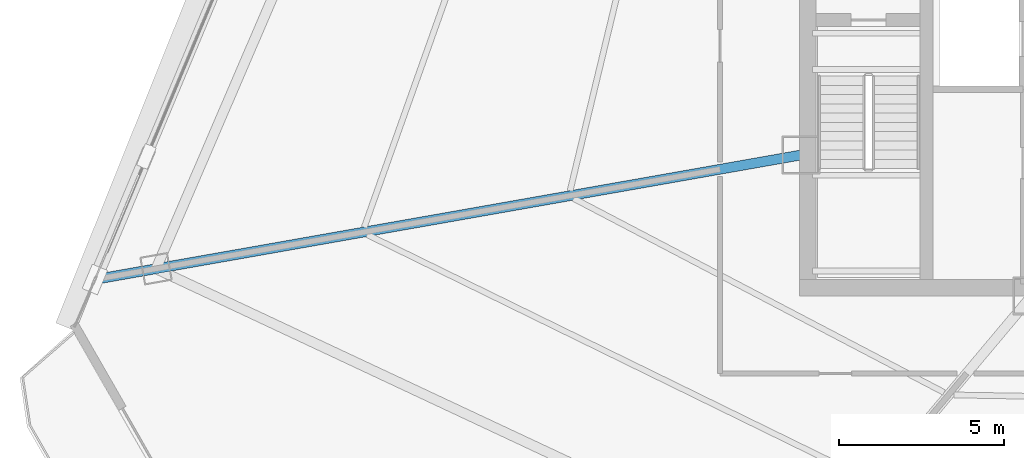
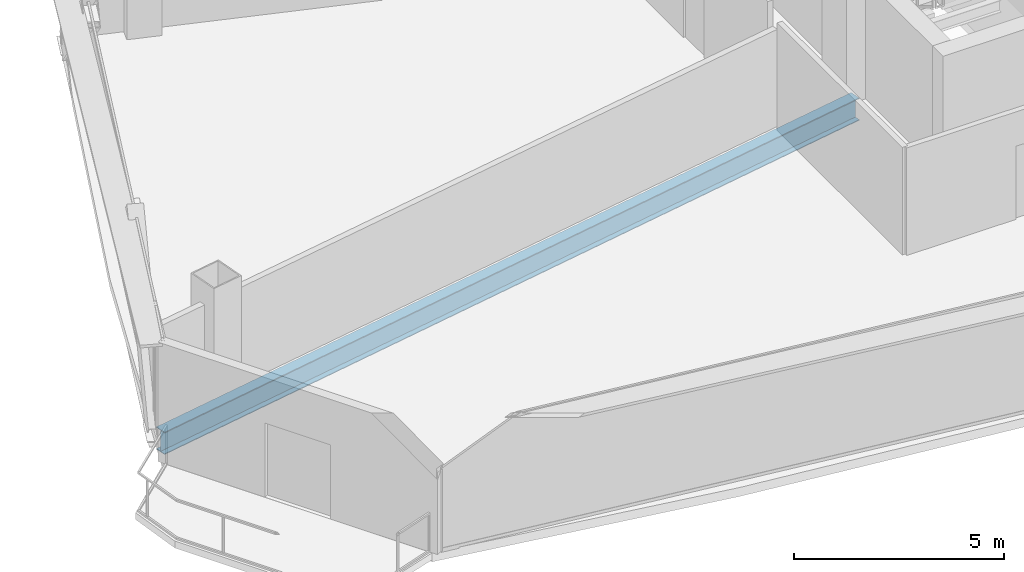
# One storey, part 5 of 37: 1 beam.
"""IFC4 building model written with IfcOpenShell, lengths in metres."""

from ifc_helpers import new_model, si_unit, direction, frame, origin, origin_2d, place, context, subcontext, project, spatial, i_section, extrude, source, transform, mapped, material, material_profile, profile_set, type_object, element, save


model = new_model("IFC4")

# Units and contexts
model_context = context("Model", 3, precision=1e-05, world=origin(), true_north=direction((0.0, 1.0)))
body_context = subcontext(model_context, "Body", "Model", "MODEL_VIEW")
ifc_project = project(units=[si_unit("LENGTHUNIT", "METRE"), si_unit("AREAUNIT", "SQUARE_METRE"), si_unit("VOLUMEUNIT", "CUBIC_METRE"), si_unit("PLANEANGLEUNIT", "RADIAN"), si_unit("MASSUNIT", "GRAM", prefix="KILO"), si_unit("THERMODYNAMICTEMPERATUREUNIT", "KELVIN"), si_unit("POWERUNIT", "WATT")], contexts=[model_context])

# Site, building, storey
site_placement = place(None, origin())
site = spatial("IfcSite", under=ifc_project, at=site_placement, CompositionType="ELEMENT")
building_placement = place(site_placement, origin())
building = spatial("IfcBuilding", under=site, at=building_placement, Name="Yunzhuo Pagoda Commons", CompositionType="ELEMENT")
storey_placement = place(building_placement, frame((0.0, 0.0, 255.719970703125)))
storey = spatial("IfcBuildingStorey", under=building, at=storey_placement, Name="L64", CompositionType="ELEMENT", Elevation=255.719970703125)

# Beam
ifc_material = material(Name="Structural steel Q355B", Category="steel")
ifc_material_profile = material_profile(ifc_material, i_section(OverallWidth=0.300048828125, OverallDepth=0.64990234375, WebThickness=0.012939453125, FlangeThickness=0.02197265625, at=origin_2d()), Name="Structural steel Q355B")
ifc_profile_set = profile_set([ifc_material_profile], Name="Structural steel Q355B")
beam_type = type_object("IfcBeamType", Name="B-RG2 Beam HN 650x300x13x22", PredefinedType="BEAM", material=ifc_profile_set)
shared_shape = source(origin(), body_context, "Body", "SweptSolid", [
    extrude(i_section(OverallWidth=0.300048828125, OverallDepth=0.64990234375, WebThickness=0.012939453125, FlangeThickness=0.02197265625, at=origin_2d()), origin(), (0.0, 0.0, 1.0), 21.561279296875),
])
beam_placement = place(storey_placement, frame((14.366455078125, 27.76953125, -0.5849609375), z_axis=(0.984809082291, 0.173640638784, 0.0), x_axis=(-0.173640638784, 0.984809082291, 0.0)))
element("IfcBeam", 1, at=beam_placement, inside=storey, type_object=beam_type, Name="L64 radial floor girder F3C4", PredefinedType="BEAM", context=body_context, shape_type="MappedRepresentation", body=[
    mapped(shared_shape, transform((0.0, 0.0, 0.0), scale=1.0)),
])

save(model, "model.ifc")
